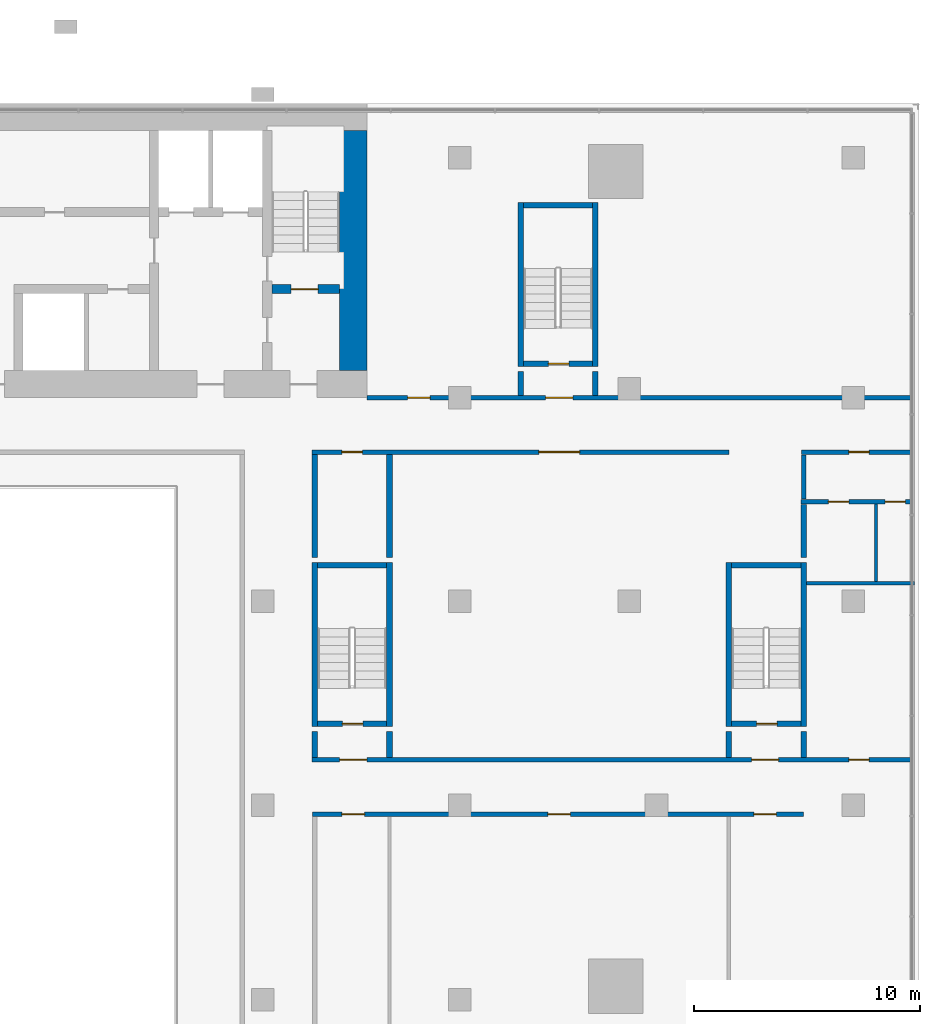
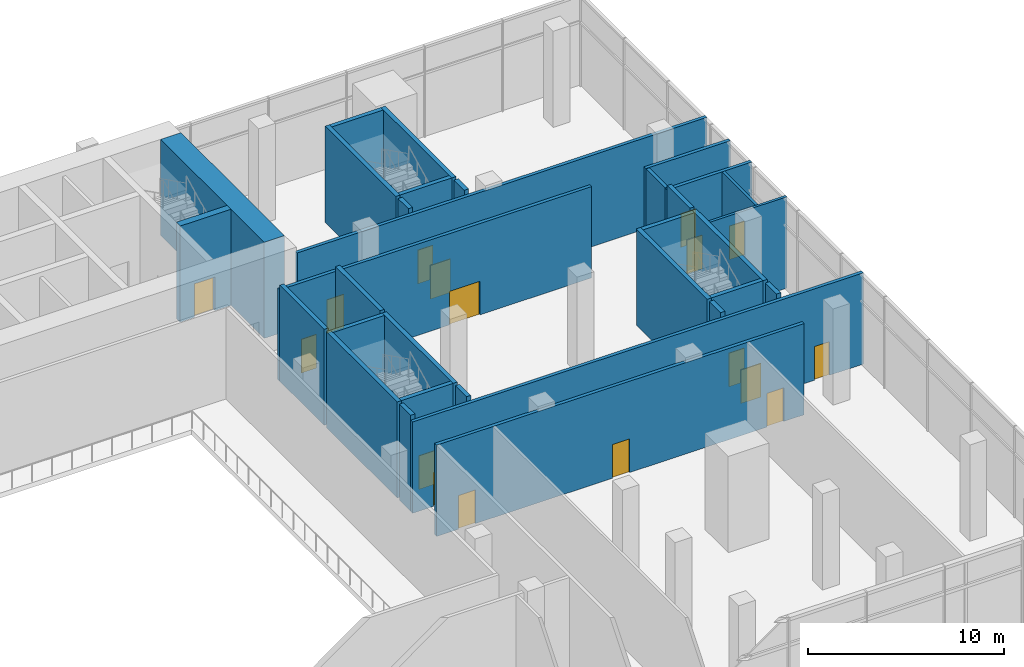
# One storey, part 15 of 22: 32 walls, 17 doors, 17 openings.
"""IFC4 building model written with IfcOpenShell, lengths in metres."""

from ifc_helpers import new_model, si_unit, direction, frame, frame_2d, origin, place, context, subcontext, project, spatial, rectangle, extrude, material, layer, layer_set, type_object, element, fill, save


model = new_model("IFC4")

# Units and contexts
model_context = context("Model", 3, precision=1e-05, world=origin(), true_north=direction((0.0, 1.0)))
body_context = subcontext(model_context, "Body", "Model", "MODEL_VIEW")
ifc_project = project(units=[si_unit("LENGTHUNIT", "METRE"), si_unit("AREAUNIT", "SQUARE_METRE"), si_unit("VOLUMEUNIT", "CUBIC_METRE"), si_unit("PLANEANGLEUNIT", "RADIAN"), si_unit("MASSUNIT", "GRAM", prefix="KILO")], contexts=[model_context])

# Site, building, storey
site_placement = place(None, origin())
site = spatial("IfcSite", under=ifc_project, at=site_placement, CompositionType="ELEMENT")
building_placement = place(site_placement, origin())
building = spatial("IfcBuilding", under=site, at=building_placement, Name="Bicima Exchange Tower", CompositionType="ELEMENT")
storey_placement = place(building_placement, frame((0.0, 0.0, 14.0)))
storey = spatial("IfcBuildingStorey", under=building, at=storey_placement, Name="L02", CompositionType="ELEMENT", Elevation=14.0)

# Wall, openings, doors
ifc_material_1 = material(Name="Gypsum board partition")
ifc_layer_1 = layer(ifc_material_1, 0.199951171875)
ifc_layer_set_1 = layer_set([ifc_layer_1], Name="Gypsum board partition")
wall_type_1 = type_object("IfcWallType", Name="Fire-rated gypsum partition 200 EI60", PredefinedType="PARTITIONING", material=ifc_layer_set_1)
wall_1_placement = place(storey_placement, frame((19.60009765625, -31.39990234375, 0.0), z_axis=(0.0, 0.0, 1.0), x_axis=(1.0, 0.0, 0.0)))
wall_1 = element("IfcWall", 1, at=wall_1_placement, inside=storey, type_object=wall_type_1, Name="partition wall 4", PredefinedType="PARTITIONING", context=body_context, shape_type="SweptSolid", body=[
    extrude(rectangle(XDim=21.699951171875, YDim=0.199951171875, at=frame_2d((10.85009765625, 0.0))), origin(), (0.0, 0.0, 1.0), 5.699951171875),
])
opening_1_placement = place(wall_1_placement, frame((1.300048828125, 0.0, 0.0)))
opening_1 = element("IfcOpeningElement", 2, at=opening_1_placement, cuts=wall_1, Name="Opening L02-027", PredefinedType="OPENING", context=body_context, shape_type="SweptSolid", body=[
    extrude(rectangle(XDim=1.0, YDim=2.10009765625, at=frame_2d((0.5, 1.050048828125))), frame((0.0, 0.11181640625, 0.0), z_axis=(0.0, -1.0, 0.0), x_axis=(1.0, 0.0, 0.0)), (0.0, 0.0, 1.0), 0.223876953125),
])
opening_2_placement = place(wall_1_placement, frame((10.39990234375, 0.0, 0.0)))
opening_2 = element("IfcOpeningElement", 3, at=opening_2_placement, cuts=wall_1, Name="Opening L02-029", PredefinedType="OPENING", context=body_context, shape_type="SweptSolid", body=[
    extrude(rectangle(XDim=1.0, YDim=2.10009765625, at=frame_2d((0.5, 1.050048828125))), frame((0.0, 0.11181640625, 0.0), z_axis=(0.0, -1.0, 0.0), x_axis=(1.0, 0.0, 0.0)), (0.0, 0.0, 1.0), 0.223876953125),
])
opening_3_placement = place(wall_1_placement, frame((19.5, 0.0, 0.0)))
opening_3 = element("IfcOpeningElement", 4, at=opening_3_placement, cuts=wall_1, Name="Opening L02-031", PredefinedType="OPENING", context=body_context, shape_type="SweptSolid", body=[
    extrude(rectangle(XDim=1.0, YDim=2.10009765625, at=frame_2d((0.5, 1.050048828125))), frame((0.0, 0.11181640625, 0.0), z_axis=(0.0, -1.0, 0.0), x_axis=(1.0, 0.0, 0.0)), (0.0, 0.0, 1.0), 0.223876953125),
])
ifc_material_2 = material(Name="Steel fire door leaf", Category="steel")
door_type_1 = type_object("IfcDoorType", Name="Door 1000 swing FD30S", OperationType="SINGLE_SWING_LEFT", PredefinedType="DOOR", material=ifc_material_2)
door_1_placement = place(opening_1_placement, frame((1.0, 0.0, 0.0), z_axis=(0.0, 0.0, 1.0), x_axis=(-1.0, 0.0, 0.0)))
door_1 = element("IfcDoor", 5, at=door_1_placement, inside=storey, type_object=door_type_1, Name="Door", OperationType="SINGLE_SWING_RIGHT", OverallHeight=2.10009765625, OverallWidth=1.0, PredefinedType="DOOR", context=body_context, shape_type="SweptSolid", body=[
    extrude(rectangle(XDim=1.0, YDim=2.10009765625, at=frame_2d((0.5, 1.050048828125))), frame((0.0, 0.02490234375, 0.0), z_axis=(0.0, -1.0, 0.0), x_axis=(1.0, 0.0, 0.0)), (0.0, 0.0, 1.0), 0.050048828125),
])
fill(opening_1, door_1)
door_2_placement = place(opening_2_placement, frame((1.0, 0.0, 0.0), z_axis=(0.0, 0.0, 1.0), x_axis=(-1.0, 0.0, 0.0)))
door_2 = element("IfcDoor", 6, at=door_2_placement, inside=storey, type_object=door_type_1, Name="Door", OperationType="SINGLE_SWING_RIGHT", OverallHeight=2.10009765625, OverallWidth=1.0, PredefinedType="DOOR", context=body_context, shape_type="SweptSolid", body=[
    extrude(rectangle(XDim=1.0, YDim=2.10009765625, at=frame_2d((0.5, 1.050048828125))), frame((0.0, 0.02490234375, 0.0), z_axis=(0.0, -1.0, 0.0), x_axis=(1.0, 0.0, 0.0)), (0.0, 0.0, 1.0), 0.050048828125),
])
fill(opening_2, door_2)
door_3_placement = place(opening_3_placement, frame((1.0, 0.0, 0.0), z_axis=(0.0, 0.0, 1.0), x_axis=(-1.0, 0.0, 0.0)))
door_3 = element("IfcDoor", 7, at=door_3_placement, inside=storey, type_object=door_type_1, Name="Door", OperationType="SINGLE_SWING_LEFT", OverallHeight=2.10009765625, OverallWidth=1.0, PredefinedType="DOOR", context=body_context, shape_type="SweptSolid", body=[
    extrude(rectangle(XDim=1.0, YDim=2.10009765625, at=frame_2d((0.5, 1.050048828125))), frame((0.0, 0.02490234375, 0.0), z_axis=(0.0, -1.0, 0.0), x_axis=(1.0, 0.0, 0.0)), (0.0, 0.0, 1.0), 0.050048828125),
])
fill(opening_3, door_3)

wall_2_placement = place(storey_placement, frame((19.574951171875, -29.0, 0.0), z_axis=(0.0, 0.0, 1.0), x_axis=(1.0, 0.0, 0.0)))
wall_2 = element("IfcWall", 8, at=wall_2_placement, inside=storey, type_object=wall_type_1, Name="partition wall 6", PredefinedType="PARTITIONING", context=body_context, shape_type="SweptSolid", body=[
    extrude(rectangle(XDim=26.614990234375, YDim=0.199951171875, at=frame_2d((13.3076171875, 0.0))), origin(), (0.0, 0.0, 1.0), 5.699951171875),
])
opening_4_placement = place(wall_2_placement, frame((1.22509765625, 0.0, 0.0)))
opening_4 = element("IfcOpeningElement", 9, at=opening_4_placement, cuts=wall_2, Name="Opening L02-005", PredefinedType="OPENING", context=body_context, shape_type="SweptSolid", body=[
    extrude(rectangle(XDim=1.199951171875, YDim=2.10009765625, at=frame_2d((0.60009765625, 1.050048828125))), frame((0.0, 0.11181640625, 0.0), z_axis=(0.0, -1.0, 0.0), x_axis=(1.0, 0.0, 0.0)), (0.0, 0.0, 1.0), 0.223876953125),
])
opening_5_placement = place(wall_2_placement, frame((19.425048828125, 0.0, 0.0)))
opening_5 = element("IfcOpeningElement", 10, at=opening_5_placement, cuts=wall_2, Name="Opening L02-007", PredefinedType="OPENING", context=body_context, shape_type="SweptSolid", body=[
    extrude(rectangle(XDim=1.199951171875, YDim=2.10009765625, at=frame_2d((0.60009765625, 1.050048828125))), frame((0.0, 0.11181640625, 0.0), z_axis=(0.0, -1.0, 0.0), x_axis=(1.0, 0.0, 0.0)), (0.0, 0.0, 1.0), 0.223876953125),
])
opening_6_placement = place(wall_2_placement, frame((23.72509765625, 0.0, 0.0)))
opening_6 = element("IfcOpeningElement", 11, at=opening_6_placement, cuts=wall_2, Name="Opening L02-030", PredefinedType="OPENING", context=body_context, shape_type="SweptSolid", body=[
    extrude(rectangle(XDim=0.89990234375, YDim=2.10009765625, at=frame_2d((0.449951171875, 1.050048828125))), frame((0.0, 0.11181640625, 0.0), z_axis=(0.0, -1.0, 0.0), x_axis=(1.0, 0.0, 0.0)), (0.0, 0.0, 1.0), 0.223876953125),
])
door_type_2 = type_object("IfcDoorType", Name="Door 1200 swing FD30S", OperationType="SINGLE_SWING_LEFT", PredefinedType="DOOR", material=ifc_material_2)
door_4_placement = place(opening_4_placement, origin())
door_4 = element("IfcDoor", 12, at=door_4_placement, inside=storey, type_object=door_type_2, Name="Door", OperationType="SINGLE_SWING_LEFT", OverallHeight=2.10009765625, OverallWidth=1.199951171875, PredefinedType="DOOR", context=body_context, shape_type="SweptSolid", body=[
    extrude(rectangle(XDim=1.199951171875, YDim=2.10009765625, at=frame_2d((0.60009765625, 1.050048828125))), frame((0.0, 0.02490234375, 0.0), z_axis=(0.0, -1.0, 0.0), x_axis=(1.0, 0.0, 0.0)), (0.0, 0.0, 1.0), 0.050048828125),
])
fill(opening_4, door_4)
door_5_placement = place(opening_5_placement, origin())
door_5 = element("IfcDoor", 13, at=door_5_placement, inside=storey, type_object=door_type_2, Name="Door", OperationType="SINGLE_SWING_LEFT", OverallHeight=2.10009765625, OverallWidth=1.199951171875, PredefinedType="DOOR", context=body_context, shape_type="SweptSolid", body=[
    extrude(rectangle(XDim=1.199951171875, YDim=2.10009765625, at=frame_2d((0.60009765625, 1.050048828125))), frame((0.0, 0.02490234375, 0.0), z_axis=(0.0, -1.0, 0.0), x_axis=(1.0, 0.0, 0.0)), (0.0, 0.0, 1.0), 0.050048828125),
])
fill(opening_5, door_5)
door_type_3 = type_object("IfcDoorType", Name="Door 900 swing FD30S", OperationType="SINGLE_SWING_LEFT", PredefinedType="DOOR", material=ifc_material_2)
door_6_placement = place(opening_6_placement, origin())
door_6 = element("IfcDoor", 14, at=door_6_placement, inside=storey, type_object=door_type_3, Name="Door", OperationType="SINGLE_SWING_RIGHT", OverallHeight=2.10009765625, OverallWidth=0.89990234375, PredefinedType="DOOR", context=body_context, shape_type="SweptSolid", body=[
    extrude(rectangle(XDim=0.89990234375, YDim=2.10009765625, at=frame_2d((0.449951171875, 1.050048828125))), frame((0.0, 0.02490234375, 0.0), z_axis=(0.0, -1.0, 0.0), x_axis=(1.0, 0.0, 0.0)), (0.0, 0.0, 1.0), 0.050048828125),
])
fill(opening_6, door_6)

wall_3_placement = place(storey_placement, frame((41.175048828125, -17.60009765625, 0.0), z_axis=(0.0, 0.0, 1.0), x_axis=(1.0, 0.0, 0.0)))
wall_3 = element("IfcWall", 15, at=wall_3_placement, inside=storey, type_object=wall_type_1, Name="partition wall 16", PredefinedType="PARTITIONING", context=body_context, shape_type="SweptSolid", body=[
    extrude(rectangle(XDim=5.014892578125, YDim=0.199951171875, at=frame_2d((2.50732421875, 0.0))), origin(), (0.0, 0.0, 1.0), 5.699951171875),
])
opening_7_placement = place(wall_3_placement, frame((1.22509765625, 0.0, 0.0)))
opening_7 = element("IfcOpeningElement", 16, at=opening_7_placement, cuts=wall_3, Name="Opening L02-033", PredefinedType="OPENING", context=body_context, shape_type="SweptSolid", body=[
    extrude(rectangle(XDim=0.89990234375, YDim=2.10009765625, at=frame_2d((0.449951171875, 1.050048828125))), frame((0.0, 0.11181640625, 0.0), z_axis=(0.0, -1.0, 0.0), x_axis=(1.0, 0.0, 0.0)), (0.0, 0.0, 1.0), 0.223876953125),
])
opening_8_placement = place(wall_3_placement, frame((3.72509765625, 0.0, 0.0)))
opening_8 = element("IfcOpeningElement", 17, at=opening_8_placement, cuts=wall_3, Name="Opening L02-034", PredefinedType="OPENING", context=body_context, shape_type="SweptSolid", body=[
    extrude(rectangle(XDim=0.89990234375, YDim=2.10009765625, at=frame_2d((0.449951171875, 1.050048828125))), frame((0.0, 0.11181640625, 0.0), z_axis=(0.0, -1.0, 0.0), x_axis=(1.0, 0.0, 0.0)), (0.0, 0.0, 1.0), 0.223876953125),
])
door_7_placement = place(opening_7_placement, frame((0.89990234375, 0.0, 0.0), z_axis=(0.0, 0.0, 1.0), x_axis=(-1.0, 0.0, 0.0)))
door_7 = element("IfcDoor", 18, at=door_7_placement, inside=storey, type_object=door_type_3, Name="Door", OperationType="SINGLE_SWING_RIGHT", OverallHeight=2.10009765625, OverallWidth=0.89990234375, PredefinedType="DOOR", context=body_context, shape_type="SweptSolid", body=[
    extrude(rectangle(XDim=0.89990234375, YDim=2.10009765625, at=frame_2d((0.449951171875, 1.050048828125))), frame((0.0, 0.02490234375, 0.0), z_axis=(0.0, -1.0, 0.0), x_axis=(1.0, 0.0, 0.0)), (0.0, 0.0, 1.0), 0.050048828125),
])
fill(opening_7, door_7)
door_8_placement = place(opening_8_placement, frame((0.89990234375, 0.0, 0.0), z_axis=(0.0, 0.0, 1.0), x_axis=(-1.0, 0.0, 0.0)))
door_8 = element("IfcDoor", 19, at=door_8_placement, inside=storey, type_object=door_type_3, Name="Door", OperationType="SINGLE_SWING_LEFT", OverallHeight=2.10009765625, OverallWidth=0.89990234375, PredefinedType="DOOR", context=body_context, shape_type="SweptSolid", body=[
    extrude(rectangle(XDim=0.89990234375, YDim=2.10009765625, at=frame_2d((0.449951171875, 1.050048828125))), frame((0.0, 0.02490234375, 0.0), z_axis=(0.0, -1.0, 0.0), x_axis=(1.0, 0.0, 0.0)), (0.0, 0.0, 1.0), 0.050048828125),
])
fill(opening_8, door_8)

wall_4_placement = place(storey_placement, frame((19.574951171875, -15.39990234375, 0.0), z_axis=(0.0, 0.0, 1.0), x_axis=(1.0, 0.0, 0.0)))
wall_4 = element("IfcWall", 20, at=wall_4_placement, inside=storey, type_object=wall_type_1, Name="partition wall 19", PredefinedType="PARTITIONING", context=body_context, shape_type="SweptSolid", body=[
    extrude(rectangle(XDim=18.425048828125, YDim=0.199951171875, at=frame_2d((9.21240234375, 0.0))), origin(), (0.0, 0.0, 1.0), 5.699951171875),
])
opening_9_placement = place(wall_4_placement, frame((1.324951171875, 0.0, 0.0)))
opening_9 = element("IfcOpeningElement", 21, at=opening_9_placement, cuts=wall_4, Name="Opening L02-026", PredefinedType="OPENING", context=body_context, shape_type="SweptSolid", body=[
    extrude(rectangle(XDim=0.89990234375, YDim=2.10009765625, at=frame_2d((0.449951171875, 1.050048828125))), frame((0.0, 0.11181640625, 0.0), z_axis=(0.0, -1.0, 0.0), x_axis=(1.0, 0.0, 0.0)), (0.0, 0.0, 1.0), 0.223876953125),
])
opening_10_placement = place(wall_4_placement, frame((10.02490234375, 0.0, 0.0)))
opening_10 = element("IfcOpeningElement", 22, at=opening_10_placement, cuts=wall_4, Name="Opening L02-028", PredefinedType="OPENING", context=body_context, shape_type="SweptSolid", body=[
    extrude(rectangle(XDim=1.800048828125, YDim=2.10009765625, at=frame_2d((0.89990234375, 1.050048828125))), frame((0.0, 0.11181640625, 0.0), z_axis=(0.0, -1.0, 0.0), x_axis=(1.0, 0.0, 0.0)), (0.0, 0.0, 1.0), 0.223876953125),
])
door_type_4 = type_object("IfcDoorType", Name="Door 1800 double swing FD30S", OperationType="DOUBLE_DOOR_SINGLE_SWING", PredefinedType="DOOR", material=ifc_material_2)
door_9_placement = place(opening_10_placement, origin())
door_9 = element("IfcDoor", 23, at=door_9_placement, inside=storey, type_object=door_type_4, Name="Door", OperationType="SINGLE_SWING_LEFT", OverallHeight=2.10009765625, OverallWidth=1.800048828125, PredefinedType="DOOR", context=body_context, shape_type="SweptSolid", body=[
    extrude(rectangle(XDim=1.800048828125, YDim=2.10009765625, at=frame_2d((0.89990234375, 1.050048828125))), frame((0.0, 0.02490234375, 0.0), z_axis=(0.0, -1.0, 0.0), x_axis=(1.0, 0.0, 0.0)), (0.0, 0.0, 1.0), 0.050048828125),
])
fill(opening_10, door_9)
door_10_placement = place(opening_9_placement, frame((0.89990234375, 0.0, 0.0), z_axis=(0.0, 0.0, 1.0), x_axis=(-1.0, 0.0, 0.0)))
door_10 = element("IfcDoor", 24, at=door_10_placement, inside=storey, type_object=door_type_3, Name="Door", OperationType="SINGLE_SWING_RIGHT", OverallHeight=2.10009765625, OverallWidth=0.89990234375, PredefinedType="DOOR", context=body_context, shape_type="SweptSolid", body=[
    extrude(rectangle(XDim=0.89990234375, YDim=2.10009765625, at=frame_2d((0.449951171875, 1.050048828125))), frame((0.0, 0.02490234375, 0.0), z_axis=(0.0, -1.0, 0.0), x_axis=(1.0, 0.0, 0.0)), (0.0, 0.0, 1.0), 0.050048828125),
])
fill(opening_9, door_10)

# Wall, opening, door
wall_5_placement = place(storey_placement, frame((41.199951171875, -15.39990234375, 0.0), z_axis=(0.0, 0.0, 1.0), x_axis=(1.0, 0.0, 0.0)))
wall_5 = element("IfcWall", 25, at=wall_5_placement, inside=storey, type_object=wall_type_1, Name="partition wall 20", PredefinedType="PARTITIONING", context=body_context, shape_type="SweptSolid", body=[
    extrude(rectangle(XDim=4.989990234375, YDim=0.199951171875, at=frame_2d((2.4951171875, 0.0))), origin(), (0.0, 0.0, 1.0), 5.699951171875),
])
opening_11_placement = place(wall_5_placement, frame((2.10009765625, 0.0, 0.0)))
opening_11 = element("IfcOpeningElement", 26, at=opening_11_placement, cuts=wall_5, Name="Opening L02-032", PredefinedType="OPENING", context=body_context, shape_type="SweptSolid", body=[
    extrude(rectangle(XDim=0.89990234375, YDim=2.10009765625, at=frame_2d((0.449951171875, 1.050048828125))), frame((0.0, 0.11181640625, 0.0), z_axis=(0.0, -1.0, 0.0), x_axis=(1.0, 0.0, 0.0)), (0.0, 0.0, 1.0), 0.223876953125),
])
door_11_placement = place(opening_11_placement, frame((0.89990234375, 0.0, 0.0), z_axis=(0.0, 0.0, 1.0), x_axis=(-1.0, 0.0, 0.0)))
door_11 = element("IfcDoor", 27, at=door_11_placement, inside=storey, type_object=door_type_3, Name="Door", OperationType="SINGLE_SWING_RIGHT", OverallHeight=2.10009765625, OverallWidth=0.89990234375, PredefinedType="DOOR", context=body_context, shape_type="SweptSolid", body=[
    extrude(rectangle(XDim=0.89990234375, YDim=2.10009765625, at=frame_2d((0.449951171875, 1.050048828125))), frame((0.0, 0.02490234375, 0.0), z_axis=(0.0, -1.0, 0.0), x_axis=(1.0, 0.0, 0.0)), (0.0, 0.0, 1.0), 0.050048828125),
])
fill(opening_11, door_11)

# Wall, openings, doors
wall_6_placement = place(storey_placement, frame((22.0, -13.0, 0.0), z_axis=(0.0, 0.0, 1.0), x_axis=(1.0, 0.0, 0.0)))
wall_6 = element("IfcWall", 28, at=wall_6_placement, inside=storey, type_object=wall_type_1, Name="partition wall 22", PredefinedType="PARTITIONING", context=body_context, shape_type="SweptSolid", body=[
    extrude(rectangle(XDim=24.18994140625, YDim=0.199951171875, at=frame_2d((12.094970703125, 0.0))), origin(), (0.0, 0.0, 1.0), 5.699951171875),
])
opening_12_placement = place(wall_6_placement, frame((7.89990234375, 0.0, 0.0)))
opening_12 = element("IfcOpeningElement", 29, at=opening_12_placement, cuts=wall_6, Name="Opening L02-011", PredefinedType="OPENING", context=body_context, shape_type="SweptSolid", body=[
    extrude(rectangle(XDim=1.199951171875, YDim=2.10009765625, at=frame_2d((0.60009765625, 1.050048828125))), frame((0.0, 0.11181640625, 0.0), z_axis=(0.0, -1.0, 0.0), x_axis=(1.0, 0.0, 0.0)), (0.0, 0.0, 1.0), 0.223876953125),
])
opening_13_placement = place(wall_6_placement, frame((1.800048828125, 0.0, 0.0)))
opening_13 = element("IfcOpeningElement", 30, at=opening_13_placement, cuts=wall_6, Name="Opening L02-016", PredefinedType="OPENING", context=body_context, shape_type="SweptSolid", body=[
    extrude(rectangle(XDim=1.0, YDim=2.10009765625, at=frame_2d((0.5, 1.050048828125))), frame((0.0, 0.11181640625, 0.0), z_axis=(0.0, -1.0, 0.0), x_axis=(1.0, 0.0, 0.0)), (0.0, 0.0, 1.0), 0.223876953125),
])
door_12_placement = place(opening_13_placement, origin())
door_12 = element("IfcDoor", 31, at=door_12_placement, inside=storey, type_object=door_type_1, Name="Door", OperationType="SINGLE_SWING_LEFT", OverallHeight=2.10009765625, OverallWidth=1.0, PredefinedType="DOOR", context=body_context, shape_type="SweptSolid", body=[
    extrude(rectangle(XDim=1.0, YDim=2.10009765625, at=frame_2d((0.5, 1.050048828125))), frame((0.0, 0.02490234375, 0.0), z_axis=(0.0, -1.0, 0.0), x_axis=(1.0, 0.0, 0.0)), (0.0, 0.0, 1.0), 0.050048828125),
])
fill(opening_13, door_12)
door_13_placement = place(opening_12_placement, origin())
door_13 = element("IfcDoor", 32, at=door_13_placement, inside=storey, type_object=door_type_2, Name="Door", OperationType="SINGLE_SWING_LEFT", OverallHeight=2.10009765625, OverallWidth=1.199951171875, PredefinedType="DOOR", context=body_context, shape_type="SweptSolid", body=[
    extrude(rectangle(XDim=1.199951171875, YDim=2.10009765625, at=frame_2d((0.60009765625, 1.050048828125))), frame((0.0, 0.02490234375, 0.0), z_axis=(0.0, -1.0, 0.0), x_axis=(1.0, 0.0, 0.0)), (0.0, 0.0, 1.0), 0.050048828125),
])
fill(opening_12, door_13)

# Walls
wall_7_placement = place(storey_placement, frame((41.300048828125, -17.47998046875, 0.0), z_axis=(0.0, 0.0, 1.0), x_axis=(0.0, 1.0, 0.0)))
element("IfcWall", 33, at=wall_7_placement, inside=storey, type_object=wall_type_1, Name="partition wall 51", PredefinedType="PARTITIONING", context=body_context, shape_type="SweptSolid", body=[
    extrude(rectangle(XDim=1.9599609375, YDim=0.199951171875, at=frame_2d((0.97998046875, 0.0))), origin(), (0.0, 0.0, 1.0), 5.699951171875),
])
ifc_layer_2 = layer(ifc_material_1, 0.14990234375)
ifc_layer_set_2 = layer_set([ifc_layer_2], Name="Gypsum board partition")
wall_type_2 = type_object("IfcWallType", Name="Gypsum partition 150", PredefinedType="PARTITIONING", material=ifc_layer_set_2)
wall_8_placement = place(storey_placement, frame((41.425048828125, -21.199951171875, 0.0), z_axis=(0.0, 0.0, 1.0), x_axis=(1.0, 0.0, 0.0)))
element("IfcWall", 34, at=wall_8_placement, inside=storey, type_object=wall_type_2, Name="partition wall 11", PredefinedType="PARTITIONING", context=body_context, shape_type="SweptSolid", body=[
    extrude(rectangle(XDim=4.764892578125, YDim=0.14990234375, at=frame_2d((2.38232421875, 0.0))), origin(), (0.0, 0.0, 1.0), 5.699951171875),
])
wall_9_placement = place(storey_placement, frame((44.5, -21.125, 0.0), z_axis=(0.0, 0.0, 1.0), x_axis=(0.0, 1.0, 0.0)))
element("IfcWall", 35, at=wall_9_placement, inside=storey, type_object=wall_type_2, Name="partition wall 52", PredefinedType="PARTITIONING", context=body_context, shape_type="SweptSolid", body=[
    extrude(rectangle(XDim=3.425048828125, YDim=0.14990234375, at=frame_2d((1.71240234375, 0.0))), origin(), (0.0, 0.0, 1.0), 5.699951171875),
])
ifc_material_3 = material(Name="Concrete C60/75", Category="concrete")
ifc_layer_3 = layer(ifc_material_3, 1.199951171875)
ifc_layer_set_3 = layer_set([ifc_layer_3], Name="Concrete C60/75")
wall_type_3 = type_object("IfcWallType", Name="RC core wall 1200 C60/75", PredefinedType="SHEAR", material=ifc_layer_set_3)
wall_10_placement = place(storey_placement, frame((21.39990234375, -11.800048828125, 0.0), z_axis=(0.0, 0.0, 1.0), x_axis=(0.0, 1.0, 0.0)))
element("IfcWall", 36, at=wall_10_placement, inside=storey, type_object=wall_type_3, Name="Core wall east", PredefinedType="SHEAR", context=body_context, shape_type="SweptSolid", body=[
    extrude(rectangle(XDim=10.60009765625, YDim=1.199951171875, at=frame_2d((5.300048828125, 0.0))), origin(), (0.0, 0.0, 1.0), 6.0),
])
ifc_material_4 = material(Name="Concrete C50/60", Category="concrete")
ifc_layer_4 = layer(ifc_material_4, 0.25)
ifc_layer_set_4 = layer_set([ifc_layer_4], Name="Concrete C50/60")
wall_type_4 = type_object("IfcWallType", Name="RC core wall 250 C50/60", PredefinedType="SHEAR", material=ifc_layer_set_4)
wall_11_placement = place(storey_placement, frame((19.699951171875, -28.89990234375, 0.0), z_axis=(0.0, 0.0, 1.0), x_axis=(0.0, 1.0, 0.0)))
element("IfcWall", 37, at=wall_11_placement, inside=storey, type_object=wall_type_4, Name="stair wall 43", PredefinedType="SHEAR", context=body_context, shape_type="SweptSolid", body=[
    extrude(rectangle(XDim=1.14990234375, YDim=0.25, at=frame_2d((0.574951171875, 0.0))), origin(), (0.0, 0.0, 1.0), 6.0),
])
wall_12_placement = place(storey_placement, frame((19.699951171875, -20.050048828125, 0.0), z_axis=(0.0, 0.0, 1.0), x_axis=(0.0, 1.0, 0.0)))
element("IfcWall", 38, at=wall_12_placement, inside=storey, type_object=wall_type_4, Name="stair wall 43", PredefinedType="SHEAR", context=body_context, shape_type="SweptSolid", body=[
    extrude(rectangle(XDim=4.550048828125, YDim=0.25, at=frame_2d((2.27490234375, 0.0))), origin(), (0.0, 0.0, 1.0), 6.0),
])
wall_13_placement = place(storey_placement, frame((23.0, -28.89990234375, 0.0), z_axis=(0.0, 0.0, 1.0), x_axis=(0.0, 1.0, 0.0)))
element("IfcWall", 39, at=wall_13_placement, inside=storey, type_object=wall_type_4, Name="stair wall 45", PredefinedType="SHEAR", context=body_context, shape_type="SweptSolid", body=[
    extrude(rectangle(XDim=1.14990234375, YDim=0.25, at=frame_2d((0.574951171875, 0.0))), origin(), (0.0, 0.0, 1.0), 6.0),
])
wall_14_placement = place(storey_placement, frame((23.0, -20.050048828125, 0.0), z_axis=(0.0, 0.0, 1.0), x_axis=(0.0, 1.0, 0.0)))
element("IfcWall", 40, at=wall_14_placement, inside=storey, type_object=wall_type_4, Name="stair wall 45", PredefinedType="SHEAR", context=body_context, shape_type="SweptSolid", body=[
    extrude(rectangle(XDim=4.550048828125, YDim=0.25, at=frame_2d((2.27490234375, 0.0))), origin(), (0.0, 0.0, 1.0), 6.0),
])
for number, where, z_axis, x_axis, name in (
    (41, (28.800048828125, -12.89990234375, 0.0), (0.0, 0.0, 1.0), (0.0, 1.0, 0.0), "stair wall 46"),
    (42, (32.10009765625, -12.89990234375, 0.0), (0.0, 0.0, 1.0), (0.0, 1.0, 0.0), "stair wall 47"),
):
    element("IfcWall", number, at=place(storey_placement, frame(where, z_axis=z_axis, x_axis=x_axis)), inside=storey, type_object=wall_type_4, Name=name, PredefinedType="SHEAR", context=body_context, shape_type="SweptSolid", body=[
        extrude(rectangle(XDim=1.0498046875, YDim=0.25, at=frame_2d((0.52490234375, 0.0))), origin(), (0.0, 0.0, 1.0), 6.0),
    ])
for number, where, z_axis, x_axis, name in (
    (43, (38.0, -28.89990234375, 0.0), (0.0, 0.0, 1.0), (0.0, 1.0, 0.0), "stair wall 49"),
    (44, (41.300048828125, -28.89990234375, 0.0), (0.0, 0.0, 1.0), (0.0, 1.0, 0.0), "stair wall 50"),
):
    element("IfcWall", number, at=place(storey_placement, frame(where, z_axis=z_axis, x_axis=x_axis)), inside=storey, type_object=wall_type_4, Name=name, PredefinedType="SHEAR", context=body_context, shape_type="SweptSolid", body=[
        extrude(rectangle(XDim=1.14990234375, YDim=0.25, at=frame_2d((0.574951171875, 0.0))), origin(), (0.0, 0.0, 1.0), 6.0),
    ])
wall_15_placement = place(storey_placement, frame((41.300048828125, -20.050048828125, 0.0), z_axis=(0.0, 0.0, 1.0), x_axis=(0.0, 1.0, 0.0)))
element("IfcWall", 45, at=wall_15_placement, inside=storey, type_object=wall_type_4, Name="stair wall 50", PredefinedType="SHEAR", context=body_context, shape_type="SweptSolid", body=[
    extrude(rectangle(XDim=2.330078125, YDim=0.25, at=frame_2d((1.1650390625, 0.0))), origin(), (0.0, 0.0, 1.0), 6.0),
])

# Wall, opening, door
ifc_layer_5 = layer(ifc_material_4, 0.39990234375)
ifc_layer_set_5 = layer_set([ifc_layer_5], Name="Concrete C50/60")
wall_type_5 = type_object("IfcWallType", Name="RC core wall 400 C50/60", PredefinedType="SHEAR", material=ifc_layer_set_5)
wall_16_placement = place(storey_placement, frame((17.800048828125, -8.199951171875, 0.0), z_axis=(0.0, 0.0, 1.0), x_axis=(1.0, 0.0, 0.0)))
wall_16 = element("IfcWall", 46, at=wall_16_placement, inside=storey, type_object=wall_type_5, Name="stair wall 5", PredefinedType="SHEAR", context=body_context, shape_type="SweptSolid", body=[
    extrude(rectangle(XDim=3.0, YDim=0.39990234375, at=frame_2d((1.5, 0.0))), origin(), (0.0, 0.0, 1.0), 6.0),
])
opening_14_placement = place(wall_16_placement, frame((0.85009765625, 0.0, 0.0)))
opening_14 = element("IfcOpeningElement", 47, at=opening_14_placement, cuts=wall_16, Name="Opening L02-C04", PredefinedType="OPENING", context=body_context, shape_type="SweptSolid", body=[
    extrude(rectangle(XDim=1.199951171875, YDim=2.10009765625, at=frame_2d((0.60009765625, 1.050048828125))), frame((0.0, 0.2119140625, 0.0), z_axis=(0.0, -1.0, 0.0), x_axis=(1.0, 0.0, 0.0)), (0.0, 0.0, 1.0), 0.423828125),
])
door_type_5 = type_object("IfcDoorType", Name="Door 1200 swing FD60S", OperationType="SINGLE_SWING_LEFT", PredefinedType="DOOR", material=ifc_material_2)
door_14_placement = place(opening_14_placement, origin())
door_14 = element("IfcDoor", 48, at=door_14_placement, inside=storey, type_object=door_type_5, Name="Core door", OperationType="SINGLE_SWING_RIGHT", OverallHeight=2.10009765625, OverallWidth=1.199951171875, PredefinedType="DOOR", context=body_context, shape_type="SweptSolid", body=[
    extrude(rectangle(XDim=1.199951171875, YDim=2.10009765625, at=frame_2d((0.60009765625, 1.050048828125))), frame((0.0, 0.02490234375, 0.0), z_axis=(0.0, -1.0, 0.0), x_axis=(1.0, 0.0, 0.0)), (0.0, 0.0, 1.0), 0.050048828125),
])
fill(opening_14, door_14)

# Walls
ifc_layer_6 = layer(ifc_material_4, 0.25)
ifc_layer_set_6 = layer_set([ifc_layer_6], Name="Concrete C50/60")
wall_type_6 = type_object("IfcWallType", Name="RC stair enclosure wall 250 C50/60", PredefinedType="SHEAR", material=ifc_layer_set_6)
for number, where, z_axis, x_axis, name in (
    (49, (28.800048828125, -11.625, 0.0), (0.0, 0.0, 1.0), (0.0, 1.0, 0.0), "East end exit stair wall W"),
    (50, (32.10009765625, -11.625, 0.0), (0.0, 0.0, 1.0), (0.0, 1.0, 0.0), "East end exit stair wall E"),
):
    element("IfcWall", number, at=place(storey_placement, frame(where, z_axis=z_axis, x_axis=x_axis)), inside=storey, type_object=wall_type_6, Name=name, PredefinedType="SHEAR", context=body_context, shape_type="SweptSolid", body=[
        extrude(rectangle(XDim=7.25, YDim=0.25, at=frame_2d((3.625, 0.0))), origin(), (0.0, 0.0, 1.0), 6.0),
    ])

# Wall, opening, door
wall_17_placement = place(storey_placement, frame((28.925048828125, -11.5, 0.0), z_axis=(0.0, 0.0, 1.0), x_axis=(1.0, 0.0, 0.0)))
wall_17 = element("IfcWall", 51, at=wall_17_placement, inside=storey, type_object=wall_type_6, Name="East end exit stair wall S", PredefinedType="SHEAR", context=body_context, shape_type="SweptSolid", body=[
    extrude(rectangle(XDim=3.050048828125, YDim=0.25, at=frame_2d((1.52490234375, 0.0))), origin(), (0.0, 0.0, 1.0), 6.0),
])
opening_15_placement = place(wall_17_placement, frame((1.10009765625, 0.0, 0.0)))
opening_15 = element("IfcOpeningElement", 52, at=opening_15_placement, cuts=wall_17, Name="Opening L02-012", PredefinedType="OPENING", context=body_context, shape_type="SweptSolid", body=[
    extrude(rectangle(XDim=0.89990234375, YDim=2.10009765625, at=frame_2d((0.449951171875, 1.050048828125))), frame((0.0, 0.136962890625, 0.0), z_axis=(0.0, -1.0, 0.0), x_axis=(1.0, 0.0, 0.0)), (0.0, 0.0, 1.0), 0.27392578125),
])
door_type_6 = type_object("IfcDoorType", Name="Door 900 swing FD60S", OperationType="SINGLE_SWING_LEFT", PredefinedType="DOOR", material=ifc_material_2)
door_15_placement = place(opening_15_placement, origin())
door_15 = element("IfcDoor", 53, at=door_15_placement, inside=storey, type_object=door_type_6, Name="Door", OperationType="SINGLE_SWING_RIGHT", OverallHeight=2.10009765625, OverallWidth=0.89990234375, PredefinedType="DOOR", context=body_context, shape_type="SweptSolid", body=[
    extrude(rectangle(XDim=0.89990234375, YDim=2.10009765625, at=frame_2d((0.449951171875, 1.050048828125))), frame((0.0, 0.02490234375, 0.0), z_axis=(0.0, -1.0, 0.0), x_axis=(1.0, 0.0, 0.0)), (0.0, 0.0, 1.0), 0.050048828125),
])
fill(opening_15, door_15)

# Walls
wall_18_placement = place(storey_placement, frame((28.925048828125, -4.5, 0.0), z_axis=(0.0, 0.0, 1.0), x_axis=(1.0, 0.0, 0.0)))
element("IfcWall", 54, at=wall_18_placement, inside=storey, type_object=wall_type_6, Name="East end exit stair wall N", PredefinedType="SHEAR", context=body_context, shape_type="SweptSolid", body=[
    extrude(rectangle(XDim=3.050048828125, YDim=0.25, at=frame_2d((1.52490234375, 0.0))), origin(), (0.0, 0.0, 1.0), 6.0),
])
for number, where, z_axis, x_axis, name in (
    (55, (19.699951171875, -27.52490234375, 0.0), (0.0, 0.0, 1.0), (0.0, 1.0, 0.0), "Podium inner east stair wall W"),
    (56, (23.0, -27.52490234375, 0.0), (0.0, 0.0, 1.0), (0.0, 1.0, 0.0), "Podium inner east stair wall E"),
):
    element("IfcWall", number, at=place(storey_placement, frame(where, z_axis=z_axis, x_axis=x_axis)), inside=storey, type_object=wall_type_6, Name=name, PredefinedType="SHEAR", context=body_context, shape_type="SweptSolid", body=[
        extrude(rectangle(XDim=7.25, YDim=0.25, at=frame_2d((3.625, 0.0))), origin(), (0.0, 0.0, 1.0), 6.0),
    ])

# Wall, opening, door
wall_19_placement = place(storey_placement, frame((19.824951171875, -27.39990234375, 0.0), z_axis=(0.0, 0.0, 1.0), x_axis=(1.0, 0.0, 0.0)))
wall_19 = element("IfcWall", 57, at=wall_19_placement, inside=storey, type_object=wall_type_6, Name="Podium inner east stair wall S", PredefinedType="SHEAR", context=body_context, shape_type="SweptSolid", body=[
    extrude(rectangle(XDim=3.050048828125, YDim=0.25, at=frame_2d((1.52490234375, 0.0))), origin(), (0.0, 0.0, 1.0), 6.0),
])
opening_16_placement = place(wall_19_placement, frame((1.10009765625, 0.0, 0.0)))
opening_16 = element("IfcOpeningElement", 58, at=opening_16_placement, cuts=wall_19, Name="Opening L02-006", PredefinedType="OPENING", context=body_context, shape_type="SweptSolid", body=[
    extrude(rectangle(XDim=0.89990234375, YDim=2.10009765625, at=frame_2d((0.449951171875, 1.050048828125))), frame((0.0, 0.136962890625, 0.0), z_axis=(0.0, -1.0, 0.0), x_axis=(1.0, 0.0, 0.0)), (0.0, 0.0, 1.0), 0.27392578125),
])
door_16_placement = place(opening_16_placement, origin())
door_16 = element("IfcDoor", 59, at=door_16_placement, inside=storey, type_object=door_type_6, Name="Door", OperationType="SINGLE_SWING_RIGHT", OverallHeight=2.10009765625, OverallWidth=0.89990234375, PredefinedType="DOOR", context=body_context, shape_type="SweptSolid", body=[
    extrude(rectangle(XDim=0.89990234375, YDim=2.10009765625, at=frame_2d((0.449951171875, 1.050048828125))), frame((0.0, 0.02490234375, 0.0), z_axis=(0.0, -1.0, 0.0), x_axis=(1.0, 0.0, 0.0)), (0.0, 0.0, 1.0), 0.050048828125),
])
fill(opening_16, door_16)

# Walls
wall_20_placement = place(storey_placement, frame((19.824951171875, -20.39990234375, 0.0), z_axis=(0.0, 0.0, 1.0), x_axis=(1.0, 0.0, 0.0)))
element("IfcWall", 60, at=wall_20_placement, inside=storey, type_object=wall_type_6, Name="Podium inner east stair wall N", PredefinedType="SHEAR", context=body_context, shape_type="SweptSolid", body=[
    extrude(rectangle(XDim=3.050048828125, YDim=0.25, at=frame_2d((1.52490234375, 0.0))), origin(), (0.0, 0.0, 1.0), 6.0),
])
for number, where, z_axis, x_axis, name in (
    (61, (38.0, -27.52490234375, 0.0), (0.0, 0.0, 1.0), (0.0, 1.0, 0.0), "Podium east stair wall W"),
    (62, (41.300048828125, -27.52490234375, 0.0), (0.0, 0.0, 1.0), (0.0, 1.0, 0.0), "Podium east stair wall E"),
):
    element("IfcWall", number, at=place(storey_placement, frame(where, z_axis=z_axis, x_axis=x_axis)), inside=storey, type_object=wall_type_6, Name=name, PredefinedType="SHEAR", context=body_context, shape_type="SweptSolid", body=[
        extrude(rectangle(XDim=7.25, YDim=0.25, at=frame_2d((3.625, 0.0))), origin(), (0.0, 0.0, 1.0), 6.0),
    ])

# Wall, opening, door
wall_21_placement = place(storey_placement, frame((38.125, -27.39990234375, 0.0), z_axis=(0.0, 0.0, 1.0), x_axis=(1.0, 0.0, 0.0)))
wall_21 = element("IfcWall", 63, at=wall_21_placement, inside=storey, type_object=wall_type_6, Name="Podium east stair wall S", PredefinedType="SHEAR", context=body_context, shape_type="SweptSolid", body=[
    extrude(rectangle(XDim=3.050048828125, YDim=0.25, at=frame_2d((1.52490234375, 0.0))), origin(), (0.0, 0.0, 1.0), 6.0),
])
opening_17_placement = place(wall_21_placement, frame((1.10009765625, 0.0, 0.0)))
opening_17 = element("IfcOpeningElement", 64, at=opening_17_placement, cuts=wall_21, Name="Opening L02-008", PredefinedType="OPENING", context=body_context, shape_type="SweptSolid", body=[
    extrude(rectangle(XDim=0.89990234375, YDim=2.10009765625, at=frame_2d((0.449951171875, 1.050048828125))), frame((0.0, 0.136962890625, 0.0), z_axis=(0.0, -1.0, 0.0), x_axis=(1.0, 0.0, 0.0)), (0.0, 0.0, 1.0), 0.27392578125),
])
door_17_placement = place(opening_17_placement, origin())
door_17 = element("IfcDoor", 65, at=door_17_placement, inside=storey, type_object=door_type_6, Name="Door", OperationType="SINGLE_SWING_LEFT", OverallHeight=2.10009765625, OverallWidth=0.89990234375, PredefinedType="DOOR", context=body_context, shape_type="SweptSolid", body=[
    extrude(rectangle(XDim=0.89990234375, YDim=2.10009765625, at=frame_2d((0.449951171875, 1.050048828125))), frame((0.0, 0.02490234375, 0.0), z_axis=(0.0, -1.0, 0.0), x_axis=(1.0, 0.0, 0.0)), (0.0, 0.0, 1.0), 0.050048828125),
])
fill(opening_17, door_17)

# Wall
wall_22_placement = place(storey_placement, frame((38.125, -20.39990234375, 0.0), z_axis=(0.0, 0.0, 1.0), x_axis=(1.0, 0.0, 0.0)))
element("IfcWall", 66, at=wall_22_placement, inside=storey, type_object=wall_type_6, Name="Podium east stair wall N", PredefinedType="SHEAR", context=body_context, shape_type="SweptSolid", body=[
    extrude(rectangle(XDim=3.050048828125, YDim=0.25, at=frame_2d((1.52490234375, 0.0))), origin(), (0.0, 0.0, 1.0), 6.0),
])

save(model, "model.ifc")
